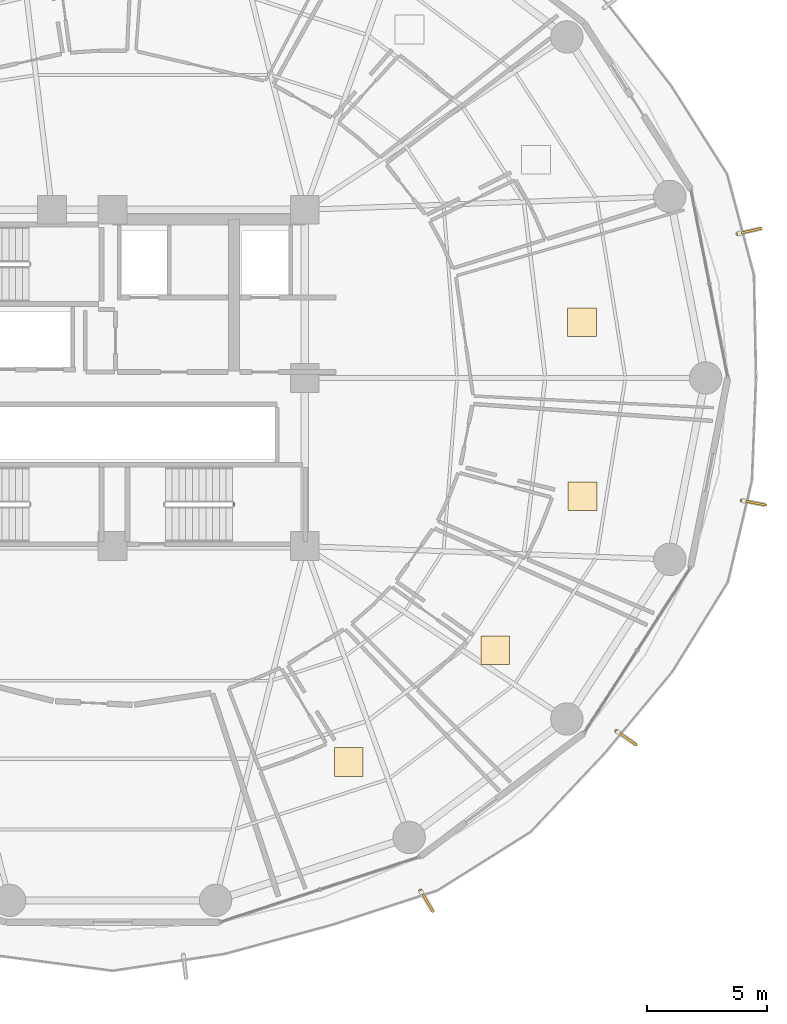
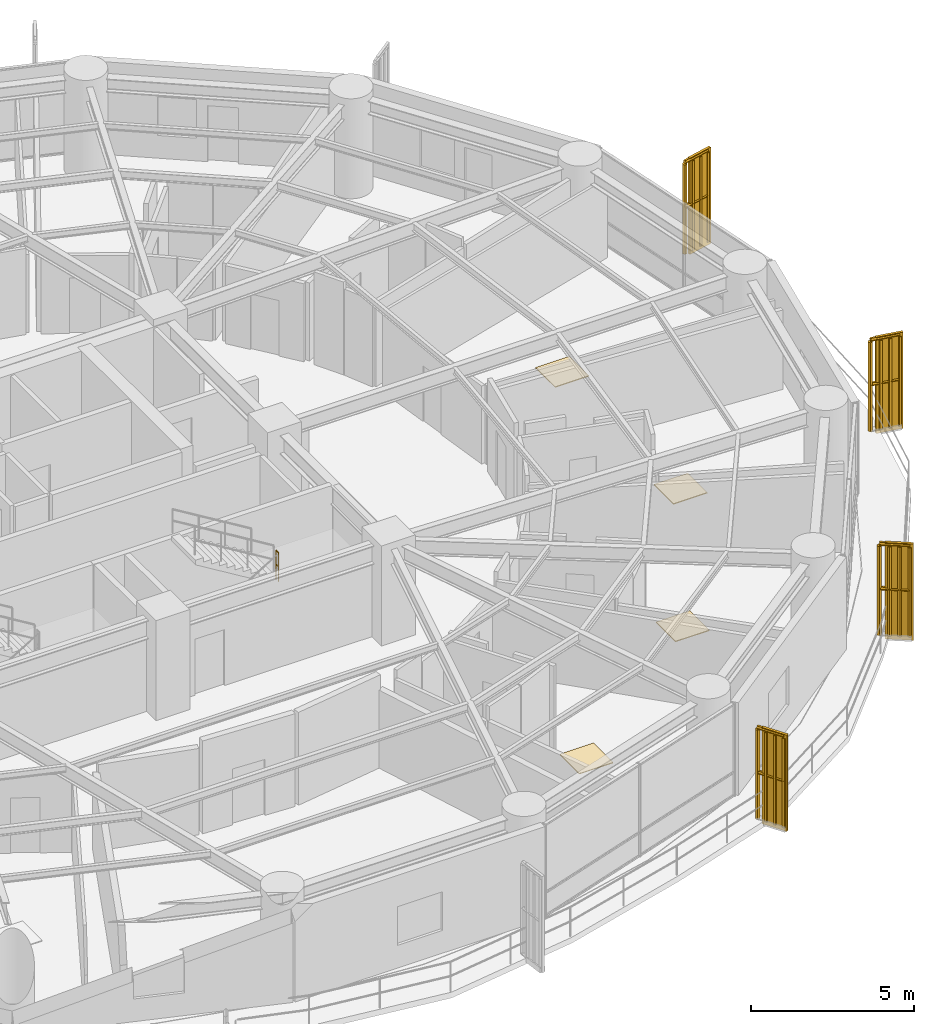
# One storey, part 36 of 37: 5 railings, 4 coverings, 4 shading devices.
"""IFC4 building model written with IfcOpenShell, lengths in metres."""

from ifc_helpers import new_model, si_unit, direction, frame, origin, origin_2d, place, context, subcontext, project, spatial, polyline, rectangle, outline, extrude, source, transform, mapped, material, layer, layer_set, type_object, element, save


model = new_model("IFC4")

# Units and contexts
model_context = context("Model", 3, precision=1e-05, world=origin(), true_north=direction((0.0, 1.0)))
body_context = subcontext(model_context, "Body", "Model", "MODEL_VIEW")
ifc_project = project(units=[si_unit("LENGTHUNIT", "METRE"), si_unit("AREAUNIT", "SQUARE_METRE"), si_unit("VOLUMEUNIT", "CUBIC_METRE"), si_unit("PLANEANGLEUNIT", "RADIAN"), si_unit("MASSUNIT", "GRAM", prefix="KILO")], contexts=[model_context])

# Site, building, storey
site_placement = place(None, origin())
site = spatial("IfcSite", under=ifc_project, at=site_placement, CompositionType="ELEMENT")
building_placement = place(site_placement, origin())
building = spatial("IfcBuilding", under=site, at=building_placement, Name="Kelanora Arch Commons", CompositionType="ELEMENT")
storey_placement = place(building_placement, frame((0.0, 0.0, 110.10009765625)))
storey = spatial("IfcBuildingStorey", under=building, at=storey_placement, Name="L28", CompositionType="ELEMENT", Elevation=110.10009765625)

# Railings
ifc_material_1 = material(Name="Anodised bronze vertical shading fin rib assembly")
railing_type_1 = type_object("IfcRailingType", Name="RAIL-FIN-BRZ", PredefinedType="BALUSTRADE", material=ifc_material_1)
railing_1_placement = place(storey_placement, frame((86.810791015625, 36.66650390625, -0.02001953125)))
element("IfcRailing", 1, at=railing_1_placement, inside=storey, type_object=railing_type_1, Name="Sweeping Bronze Vertical Fin Blade L28-11", PredefinedType="BALUSTRADE", context=body_context, shape_type="SweptSolid", body=[
    extrude(outline(polyline([(0.06982421875, 0.0), (0.034912109375, 0.060546875), (-0.034912109375, 0.060546875), (-0.06982421875, 0.0), (-0.034912109375, -0.060546875), (0.034912109375, -0.060546875), (0.06982421875, 0.0)])), frame((0.0, 0.0, 3.419921875), z_axis=(0.514989420687, -0.857196533229, 0.0), x_axis=(0.857196533229, 0.514989420687, 0.0)), (0.0, 0.0, 1.0), 0.9453125),
    extrude(outline(polyline([(0.06982421875, 0.0), (0.034912109375, 0.060546875), (-0.034912109375, 0.060546875), (-0.06982421875, 0.0), (-0.034912109375, -0.060546875), (0.034912109375, -0.060546875), (0.06982421875, 0.0)])), frame((0.0, 0.0, 1.7451171875), z_axis=(0.514989420687, -0.857196533229, 0.0), x_axis=(0.857196533229, 0.514989420687, 0.0)), (0.0, 0.0, 1.0), 0.9453125),
    extrude(outline(polyline([(0.080078125, 0.0), (0.0400390625, 0.0693359375), (-0.0400390625, 0.0693359375), (-0.080078125, 0.0), (-0.0400390625, -0.0693359375), (0.0400390625, -0.0693359375), (0.080078125, 0.0)])), origin(), (0.0, 0.0, 1.0), 3.35009765625),
    extrude(outline(polyline([(0.080078125, 0.0), (0.0400390625, 0.0693359375), (-0.0400390625, 0.0693359375), (-0.080078125, 0.0), (-0.0400390625, -0.0693359375), (0.0400390625, -0.0693359375), (0.080078125, 0.0)])), frame((0.162353515625, -0.27001953125, 0.0)), (0.0, 0.0, 1.0), 3.35009765625),
    extrude(outline(polyline([(0.080078125, 0.0), (0.0400390625, 0.0693359375), (-0.0400390625, 0.0693359375), (-0.080078125, 0.0), (-0.0400390625, -0.0693359375), (0.0400390625, -0.0693359375), (0.080078125, 0.0)])), frame((0.324462890625, -0.540283203125, 0.0)), (0.0, 0.0, 1.0), 3.35009765625),
    extrude(outline(polyline([(0.080078125, 0.0), (0.0400390625, 0.0693359375), (-0.0400390625, 0.0693359375), (-0.080078125, 0.0), (-0.0400390625, -0.0693359375), (0.0400390625, -0.0693359375), (0.080078125, 0.0)])), frame((0.48681640625, -0.810302734375, 0.0)), (0.0, 0.0, 1.0), 3.35009765625),
])
railing_2_placement = place(storey_placement, frame((94.96728515625, 43.310546875, -0.02001953125)))
element("IfcRailing", 2, at=railing_2_placement, inside=storey, type_object=railing_type_1, Name="Sweeping Bronze Vertical Fin Blade L28-12", PredefinedType="BALUSTRADE", context=body_context, shape_type="SweptSolid", body=[
    extrude(outline(polyline([(0.06982421875, 0.0), (0.034912109375, 0.060546875), (-0.034912109375, 0.060546875), (-0.06982421875, 0.0), (-0.034912109375, -0.060546875), (0.034912109375, -0.060546875), (0.06982421875, 0.0)])), frame((0.0, 0.0, 3.419921875), z_axis=(0.818952760546, -0.573860937853, 0.0), x_axis=(0.573860937853, 0.818952760546, 0.0)), (0.0, 0.0, 1.0), 0.9453125),
    extrude(outline(polyline([(0.06982421875, 0.0), (0.034912109375, 0.060546875), (-0.034912109375, 0.060546875), (-0.06982421875, 0.0), (-0.034912109375, -0.060546875), (0.034912109375, -0.060546875), (0.06982421875, 0.0)])), frame((0.0, 0.0, 1.7451171875), z_axis=(0.818952760546, -0.573860937853, 0.0), x_axis=(0.573860937853, 0.818952760546, 0.0)), (0.0, 0.0, 1.0), 0.9453125),
    extrude(outline(polyline([(0.080078125, 0.0), (0.0400390625, 0.0693359375), (-0.0400390625, 0.0693359375), (-0.080078125, 0.0), (-0.0400390625, -0.0693359375), (0.0400390625, -0.0693359375), (0.080078125, 0.0)])), origin(), (0.0, 0.0, 1.0), 3.35009765625),
    extrude(outline(polyline([(0.080078125, 0.0), (0.0400390625, 0.0693359375), (-0.0400390625, 0.0693359375), (-0.080078125, 0.0), (-0.0400390625, -0.0693359375), (0.0400390625, -0.0693359375), (0.080078125, 0.0)])), frame((0.258056640625, -0.180908203125, 0.0)), (0.0, 0.0, 1.0), 3.35009765625),
    extrude(outline(polyline([(0.080078125, 0.0), (0.0400390625, 0.0693359375), (-0.0400390625, 0.0693359375), (-0.080078125, 0.0), (-0.0400390625, -0.0693359375), (0.0400390625, -0.0693359375), (0.080078125, 0.0)])), frame((0.51611328125, -0.361572265625, 0.0)), (0.0, 0.0, 1.0), 3.35009765625),
    extrude(outline(polyline([(0.080078125, 0.0), (0.0400390625, 0.0693359375), (-0.0400390625, 0.0693359375), (-0.080078125, 0.0), (-0.0400390625, -0.0693359375), (0.0400390625, -0.0693359375), (0.080078125, 0.0)])), frame((0.774169921875, -0.54248046875, 0.0)), (0.0, 0.0, 1.0), 3.35009765625),
])
railing_3_placement = place(storey_placement, frame((100.18359375, 52.9033203125, -0.02001953125)))
element("IfcRailing", 3, at=railing_3_placement, inside=storey, type_object=railing_type_1, Name="Sweeping Bronze Vertical Fin Blade L28-13", PredefinedType="BALUSTRADE", context=body_context, shape_type="SweptSolid", body=[
    extrude(outline(polyline([(0.06982421875, 0.0), (0.034912109375, 0.060546875), (-0.034912109375, 0.060546875), (-0.06982421875, 0.0), (-0.034912109375, -0.060546875), (0.034912109375, -0.060546875), (0.06982421875, 0.0)])), frame((0.0, 0.0, 3.419921875), z_axis=(0.981580438054, -0.191049322504, 0.0), x_axis=(0.191049322504, 0.981580438054, 0.0)), (0.0, 0.0, 1.0), 0.945556640625),
    extrude(outline(polyline([(0.06982421875, 0.0), (0.034912109375, 0.060546875), (-0.034912109375, 0.060546875), (-0.06982421875, 0.0), (-0.034912109375, -0.060546875), (0.034912109375, -0.060546875), (0.06982421875, 0.0)])), frame((0.0, 0.0, 1.7451171875), z_axis=(0.981580438054, -0.191049322504, 0.0), x_axis=(0.191049322504, 0.981580438054, 0.0)), (0.0, 0.0, 1.0), 0.945556640625),
    extrude(outline(polyline([(0.080078125, 0.0), (0.0400390625, 0.0693359375), (-0.0400390625, 0.0693359375), (-0.080078125, 0.0), (-0.0400390625, -0.0693359375), (0.0400390625, -0.0693359375), (0.080078125, 0.0)])), origin(), (0.0, 0.0, 1.0), 3.35009765625),
    extrude(outline(polyline([(0.080078125, 0.0), (0.0400390625, 0.0693359375), (-0.0400390625, 0.0693359375), (-0.080078125, 0.0), (-0.0400390625, -0.0693359375), (0.0400390625, -0.0693359375), (0.080078125, 0.0)])), frame((0.309326171875, -0.060302734375, 0.0)), (0.0, 0.0, 1.0), 3.35009765625),
    extrude(outline(polyline([(0.080078125, 0.0), (0.0400390625, 0.0693359375), (-0.0400390625, 0.0693359375), (-0.080078125, 0.0), (-0.0400390625, -0.0693359375), (0.0400390625, -0.0693359375), (0.080078125, 0.0)])), frame((0.618896484375, -0.120361328125, 0.0)), (0.0, 0.0, 1.0), 3.35009765625),
    extrude(outline(polyline([(0.080078125, 0.0), (0.0400390625, 0.0693359375), (-0.0400390625, 0.0693359375), (-0.080078125, 0.0), (-0.0400390625, -0.0693359375), (0.0400390625, -0.0693359375), (0.080078125, 0.0)])), frame((0.92822265625, -0.1806640625, 0.0)), (0.0, 0.0, 1.0), 3.35009765625),
])
railing_4_placement = place(storey_placement, frame((100.007568359375, 63.997314453125, -0.02001953125)))
element("IfcRailing", 4, at=railing_4_placement, inside=storey, type_object=railing_type_1, Name="Sweeping Bronze Vertical Fin Blade L28-14", PredefinedType="BALUSTRADE", context=body_context, shape_type="SweptSolid", body=[
    extrude(outline(polyline([(0.06982421875, 0.0), (0.034912109375, 0.060546875), (-0.034912109375, 0.060546875), (-0.06982421875, 0.0), (-0.034912109375, -0.060546875), (0.034912109375, -0.060546875), (0.06982421875, 0.0)])), frame((0.0, 0.0, 3.419921875), z_axis=(0.974430355795, 0.224689745439, 0.0), x_axis=(-0.224689745439, 0.974430355795, 0.0)), (0.0, 0.0, 1.0), 0.9453125),
    extrude(outline(polyline([(0.06982421875, 0.0), (0.034912109375, 0.060546875), (-0.034912109375, 0.060546875), (-0.06982421875, 0.0), (-0.034912109375, -0.060546875), (0.034912109375, -0.060546875), (0.06982421875, 0.0)])), frame((0.0, 0.0, 1.7451171875), z_axis=(0.974430355795, 0.224689745439, 0.0), x_axis=(-0.224689745439, 0.974430355795, 0.0)), (0.0, 0.0, 1.0), 0.9453125),
    extrude(outline(polyline([(0.080078125, 0.0), (0.0400390625, 0.0693359375), (-0.0400390625, 0.0693359375), (-0.080078125, 0.0), (-0.0400390625, -0.0693359375), (0.0400390625, -0.0693359375), (0.080078125, 0.0)])), origin(), (0.0, 0.0, 1.0), 3.35009765625),
    extrude(outline(polyline([(0.080078125, 0.0), (0.0400390625, 0.0693359375), (-0.0400390625, 0.0693359375), (-0.080078125, 0.0), (-0.0400390625, -0.0693359375), (0.0400390625, -0.0693359375), (0.080078125, 0.0)])), frame((0.30712890625, 0.07080078125, 0.0)), (0.0, 0.0, 1.0), 3.35009765625),
    extrude(outline(polyline([(0.080078125, 0.0), (0.0400390625, 0.0693359375), (-0.0400390625, 0.0693359375), (-0.080078125, 0.0), (-0.0400390625, -0.0693359375), (0.0400390625, -0.0693359375), (0.080078125, 0.0)])), frame((0.614013671875, 0.1416015625, 0.0)), (0.0, 0.0, 1.0), 3.35009765625),
    extrude(outline(polyline([(0.080078125, 0.0), (0.0400390625, 0.0693359375), (-0.0400390625, 0.0693359375), (-0.080078125, 0.0), (-0.0400390625, -0.0693359375), (0.0400390625, -0.0693359375), (0.080078125, 0.0)])), frame((0.921142578125, 0.21240234375, 0.0)), (0.0, 0.0, 1.0), 3.35009765625),
])
ifc_material_2 = material(Name="Painted steel stair well guard", Category="steel")
railing_type_2 = type_object("IfcRailingType", Name="RAIL-STAIR-GRD", PredefinedType="GUARDRAIL", material=ifc_material_2)
railing_5_placement = place(storey_placement, frame((79.050048828125, 52.659912109375, 1.875)))
element("IfcRailing", 5, at=railing_5_placement, inside=storey, type_object=railing_type_2, Name="L28 ST-T2 stair guard 2", PredefinedType="GUARDRAIL", context=body_context, shape_type="SweptSolid", body=[
    extrude(outline(polyline([(0.02392578125, 0.0), (0.011962890625, 0.020751953125), (-0.011962890625, 0.020751953125), (-0.02392578125, 0.0), (-0.011962890625, -0.020751953125), (0.011962890625, -0.020751953125), (0.02392578125, 0.0)])), frame((0.0, 0.0, 1.076171875), z_axis=(0.0, 1.0, 0.0), x_axis=(-1.0, 0.0, 0.0)), (0.0, 0.0, 1.0), 0.150146484375),
    extrude(outline(polyline([(0.02392578125, 0.0), (0.011962890625, 0.020751953125), (-0.011962890625, 0.020751953125), (-0.02392578125, 0.0), (-0.011962890625, -0.020751953125), (0.011962890625, -0.020751953125), (0.02392578125, 0.0)])), frame((0.0, 0.0, 0.550048828125), z_axis=(0.0, 1.0, 0.0), x_axis=(-1.0, 0.0, 0.0)), (0.0, 0.0, 1.0), 0.150146484375),
    extrude(outline(polyline([(0.02099609375, 0.0), (0.010498046875, 0.01806640625), (-0.010498046875, 0.01806640625), (-0.02099609375, 0.0), (-0.010498046875, -0.01806640625), (0.010498046875, -0.01806640625), (0.02099609375, 0.0)])), origin(), (0.0, 0.0, 1.0), 1.052001953125),
    extrude(outline(polyline([(0.02099609375, 0.0), (0.010498046875, 0.01806640625), (-0.010498046875, 0.01806640625), (-0.02099609375, 0.0), (-0.010498046875, -0.01806640625), (0.010498046875, -0.01806640625), (0.02099609375, 0.0)])), frame((0.0, 0.150146484375, 0.0)), (0.0, 0.0, 1.0), 1.052001953125),
])

# Shading devices
ifc_material_3 = material(Name="Terracotta ceramic-clad extruded aluminium fin", Category="masonry")
shading_device_type = type_object("IfcShadingDeviceType", Name="SHD-FIN-FLARE", PredefinedType="USERDEFINED", material=ifc_material_3)
shared_shape_1 = source(origin(), body_context, "Body", "SweptSolid", [
    extrude(rectangle(XDim=0.8798828125, YDim=0.090087890625, at=origin_2d()), origin(), (0.0, 0.0, 1.0), 3.610107421875),
])
for number, where, z_axis, x_axis, name in (
    (6, (87.126220703125, 36.141357421875, -0.14013671875), (0.0, 0.0, 1.0), (0.51488846315, -0.857257178748, 0.0), "Sweeping Terracotta Fin L28-11"),
    (7, (95.468994140625, 42.958984375, -0.14013671875), (0.0, 0.0, 1.0), (0.81905192384, -0.573719396617, 0.0), "Sweeping Terracotta Fin L28-12"),
    (8, (100.78515625, 52.7861328125, -0.14013671875), (0.0, 0.0, 1.0), (0.981593866045, -0.190980318733, 0.0), "Sweeping Terracotta Fin L28-13"),
    (9, (100.6044921875, 64.134765625, -0.14013671875), (0.0, 0.0, 1.0), (0.97440931131, 0.224780991261, 0.0), "Sweeping Terracotta Fin L28-14"),
):
    element("IfcShadingDevice", number, at=place(storey_placement, frame(where, z_axis=z_axis, x_axis=x_axis)), inside=storey, type_object=shading_device_type, Name=name, ObjectType="FIN", PredefinedType="USERDEFINED", context=body_context, shape_type="MappedRepresentation", body=[
        mapped(shared_shape_1, transform((0.0, 0.0, 0.0), scale=1.0)),
    ])

# Coverings
ifc_material_4 = material(Name="Polished local granite terrazzo flooring", Category="masonry")
ifc_layer = layer(ifc_material_4, 0.030029296875)
ifc_layer_set = layer_set([ifc_layer], Name="Polished local granite terrazzo flooring")
covering_type = type_object("IfcCoveringType", Name="COV-FLR-TER", PredefinedType="FLOORING", material=ifc_layer_set)
shared_shape_2 = source(origin(), body_context, "Body", "SweptSolid", [
    extrude(rectangle(XDim=1.199951171875, YDim=1.199951171875, at=origin_2d()), origin(), (0.0, 0.0, 1.0), 0.030029296875),
])
for number, where, z_axis, x_axis, name in (
    (10, (83.82861328125, 42.0107421875, 0.0), (0.0, 0.0, 1.0), (1.0, 0.0, 0.0), "Co-Living Studio L28-01 Terrazzo Finish"),
    (11, (89.927978515625, 46.666748046875, 0.0), (0.0, 0.0, 1.0), (1.0, 0.0, 0.0), "Co-Living Studio L28-02 Terrazzo Finish"),
    (12, (93.556396484375, 53.080322265625, 0.0), (0.0, 0.0, 1.0), (1.0, 0.0, 0.0), "Co-Living Studio L28-03 Terrazzo Finish"),
    (13, (93.54052734375, 60.31591796875, 0.0), (0.0, 0.0, 1.0), (1.0, 0.0, 0.0), "Communal Dining and Social Hall L28-04 Terrazzo Finish"),
):
    element("IfcCovering", number, at=place(storey_placement, frame(where, z_axis=z_axis, x_axis=x_axis)), inside=storey, type_object=covering_type, Name=name, PredefinedType="FLOORING", context=body_context, shape_type="MappedRepresentation", body=[
        mapped(shared_shape_2, transform((0.0, 0.0, 0.0), scale=1.0)),
    ])

save(model, "model.ifc")
